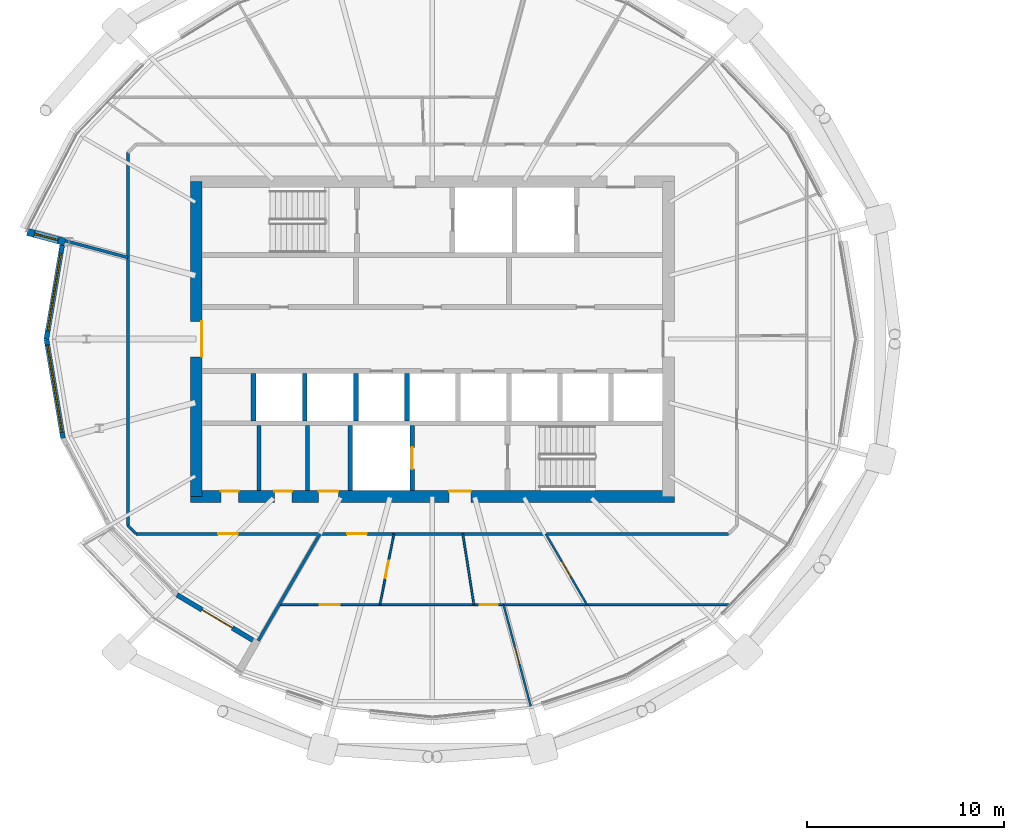
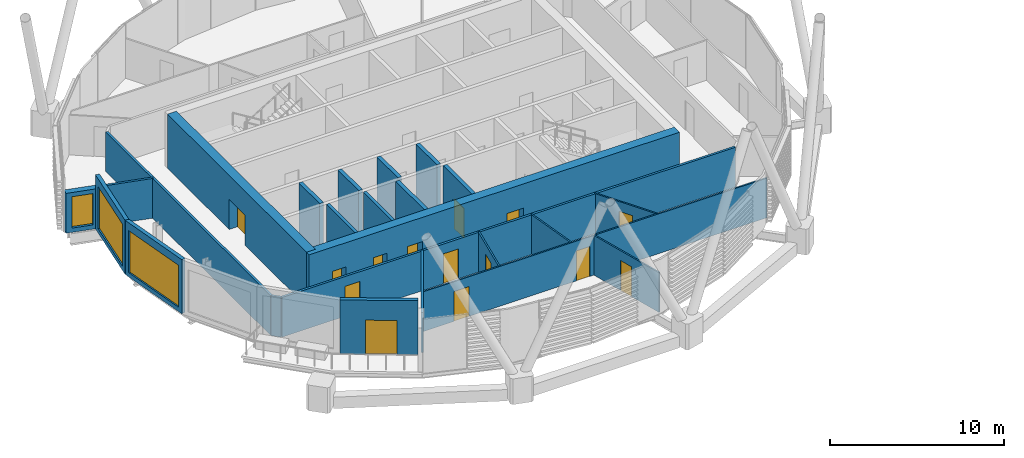
# One storey, part 22 of 36: 25 walls, 14 doors, 3 windows, 17 openings.
"""IFC4 building model written with IfcOpenShell, lengths in metres."""

from ifc_helpers import new_model, si_unit, direction, frame, frame_2d, origin, place, context, subcontext, project, spatial, rectangle, extrude, material, layer, layer_set, type_object, element, fill, save


model = new_model("IFC4")

# Units and contexts
model_context = context("Model", 3, precision=1e-05, world=origin(), true_north=direction((0.0, 1.0)))
body_context = subcontext(model_context, "Body", "Model", "MODEL_VIEW")
ifc_project = project(units=[si_unit("LENGTHUNIT", "METRE"), si_unit("AREAUNIT", "SQUARE_METRE"), si_unit("VOLUMEUNIT", "CUBIC_METRE"), si_unit("PLANEANGLEUNIT", "RADIAN"), si_unit("MASSUNIT", "GRAM", prefix="KILO")], contexts=[model_context])

# Site, building, storey
site_placement = place(None, origin())
site = spatial("IfcSite", under=ifc_project, at=site_placement, CompositionType="ELEMENT")
building_placement = place(site_placement, origin())
building = spatial("IfcBuilding", under=site, at=building_placement, Name="Rimbun Link Towers", CompositionType="ELEMENT")
storey_placement = place(building_placement, frame((0.0, 0.0, 193.10009765625)))
storey = spatial("IfcBuildingStorey", under=building, at=storey_placement, Name="L47", CompositionType="ELEMENT", Elevation=193.10009765625)

# Wall, opening, window
ifc_material_1 = material(Name="Dark enamelled glass spandrel on insulated aluminium backpan", Category="aluminium")
ifc_layer_1 = layer(ifc_material_1, 0.25)
ifc_layer_set_1 = layer_set([ifc_layer_1], Name="CS dark enamelled spandrel wall 250")
wall_type_1 = type_object("IfcWallType", Name="CS dark enamelled spandrel wall 250", PredefinedType="STANDARD", material=ifc_layer_set_1)
wall_1_placement = place(storey_placement, frame((-51.3603515625, 0.0, 0.0), z_axis=(0.0, 0.0, 1.0), x_axis=(0.165542246624, 0.986202699541, 0.0)))
wall_1 = element("IfcWall", 1, at=wall_1_placement, inside=storey, type_object=wall_type_1, Name="Crease spandrel wall", PredefinedType="STANDARD", context=body_context, shape_type="SweptSolid", body=[
    extrude(rectangle(XDim=4.84765625, YDim=0.25, at=frame_2d((2.423828125, 0.0))), origin(), (0.0, 0.0, 1.0), 3.7998046875),
])
opening_1_placement = place(wall_1_placement, frame((0.423828125, 0.0, 0.300048828125)))
opening_1 = element("IfcOpeningElement", 2, at=opening_1_placement, cuts=wall_1, Name="Opening WR40H295", PredefinedType="OPENING", context=body_context, shape_type="SweptSolid", body=[
    extrude(rectangle(XDim=4.0, YDim=2.949951171875, at=frame_2d((2.0, 1.47509765625))), frame((0.0, 0.135009765625, 0.0), z_axis=(0.0, -1.0, 0.0), x_axis=(1.0, 0.0, 0.0)), (0.0, 0.0, 1.0), 0.27001953125),
])
ifc_material_2 = material(Name="Aluminium framed fixed window, dark tinted low-e glass", Category="aluminium")
window_type_1 = type_object("IfcWindowType", Name="WR ribbon window 4000X2950", PartitioningType="SINGLE_PANEL", PredefinedType="WINDOW", material=ifc_material_2)
window_1_placement = place(opening_1_placement, origin())
window_1 = element("IfcWindow", 3, at=window_1_placement, inside=storey, type_object=window_type_1, Name="Crease ribbon window", OverallHeight=2.949951171875, OverallWidth=4.0, PartitioningType="SINGLE_PANEL", PredefinedType="WINDOW", context=body_context, shape_type="SweptSolid", body=[
    extrude(rectangle(XDim=4.0, YDim=2.949951171875, at=frame_2d((2.0, 1.47509765625))), frame((0.0, 0.030029296875, 0.0), z_axis=(0.0, -1.0, 0.0), x_axis=(1.0, 0.0, 0.0)), (0.0, 0.0, 1.0), 0.06005859375),
])
fill(opening_1, window_1)

wall_2_placement = place(storey_placement, frame((-50.514892578125, -5.036376953125, 0.0), z_axis=(0.0, 0.0, 1.0), x_axis=(-0.165553983504, 0.986200729338, 0.0)))
wall_2 = element("IfcWall", 4, at=wall_2_placement, inside=storey, type_object=wall_type_1, Name="Crease spandrel wall", PredefinedType="STANDARD", context=body_context, shape_type="SweptSolid", body=[
    extrude(rectangle(XDim=5.10693359375, YDim=0.25, at=frame_2d((2.553466796875, 0.0))), origin(), (0.0, 0.0, 1.0), 3.7998046875),
])
opening_2_placement = place(wall_2_placement, frame((0.303466796875, 0.0, 0.300048828125)))
opening_2 = element("IfcOpeningElement", 5, at=opening_2_placement, cuts=wall_2, Name="Opening WR45H295", PredefinedType="OPENING", context=body_context, shape_type="SweptSolid", body=[
    extrude(rectangle(XDim=4.5, YDim=2.949951171875, at=frame_2d((2.25, 1.47509765625))), frame((0.0, 0.135009765625, 0.0), z_axis=(0.0, -1.0, 0.0), x_axis=(1.0, 0.0, 0.0)), (0.0, 0.0, 1.0), 0.27001953125),
])
ifc_material_3 = material(Name="Aluminium framed fixed window, dark tinted low-e glass", Category="aluminium")
window_type_2 = type_object("IfcWindowType", Name="WR ribbon window 4500X2950", PartitioningType="SINGLE_PANEL", PredefinedType="WINDOW", material=ifc_material_3)
window_2_placement = place(opening_2_placement, origin())
window_2 = element("IfcWindow", 6, at=window_2_placement, inside=storey, type_object=window_type_2, Name="Crease ribbon window", OverallHeight=2.949951171875, OverallWidth=4.5, PartitioningType="SINGLE_PANEL", PredefinedType="WINDOW", context=body_context, shape_type="SweptSolid", body=[
    extrude(rectangle(XDim=4.5, YDim=2.949951171875, at=frame_2d((2.25, 1.47509765625))), frame((0.0, 0.030029296875, 0.0), z_axis=(0.0, -1.0, 0.0), x_axis=(1.0, 0.0, 0.0)), (0.0, 0.0, 1.0), 0.06005859375),
])
fill(opening_2, window_2)

# Wall, opening, door
wall_3_placement = place(storey_placement, frame((-40.87060546875, -15.297607421875, 0.0), z_axis=(0.0, 0.0, 1.0), x_axis=(-0.858130603388, 0.513431463323, 0.0)))
wall_3 = element("IfcWall", 7, at=wall_3_placement, inside=storey, type_object=wall_type_1, Name="Crease spandrel wall", PredefinedType="STANDARD", context=body_context, shape_type="SweptSolid", body=[
    extrude(rectangle(XDim=4.48828125, YDim=0.25, at=frame_2d((2.244140625, 0.0))), origin(), (0.0, 0.0, 1.0), 3.7998046875),
])
opening_3_placement = place(wall_3_placement, frame((1.2119140625, 0.0, 0.0)))
opening_3 = element("IfcOpeningElement", 8, at=opening_3_placement, cuts=wall_3, Name="Opening ED77", PredefinedType="OPENING", context=body_context, shape_type="SweptSolid", body=[
    extrude(rectangle(XDim=1.800048828125, YDim=2.39990234375, at=frame_2d((0.89990234375, 1.199951171875))), frame((0.0, 0.135009765625, 0.0), z_axis=(0.0, -1.0, 0.0), x_axis=(1.0, 0.0, 0.0)), (0.0, 0.0, 1.0), 0.27001953125),
])
ifc_material_4 = material(Name="Aluminium framed glazed door, low-iron glass", Category="aluminium")
door_type_1 = type_object("IfcDoorType", Name="ED terrace door double leaf 1800X2400", OperationType="DOUBLE_DOOR_SINGLE_SWING", PredefinedType="DOOR", material=ifc_material_4)
door_1_placement = place(opening_3_placement, origin())
door_1 = element("IfcDoor", 9, at=door_1_placement, inside=storey, type_object=door_type_1, Name="Terrace door", OperationType="SINGLE_SWING_LEFT", OverallHeight=2.39990234375, OverallWidth=1.800048828125, PredefinedType="DOOR", context=body_context, shape_type="SweptSolid", body=[
    extrude(rectangle(XDim=1.800048828125, YDim=2.39990234375, at=frame_2d((0.89990234375, 1.199951171875))), frame((0.0, 0.02490234375, 0.0), z_axis=(0.0, -1.0, 0.0), x_axis=(1.0, 0.0, 0.0)), (0.0, 0.0, 1.0), 0.050048828125),
])
fill(opening_3, door_1)

# Wall, opening, window
ifc_material_5 = material(Name="Dark enamelled glass spandrel on insulated aluminium backpan", Category="aluminium")
ifc_layer_2 = layer(ifc_material_5, 0.3701171875)
ifc_layer_set_2 = layer_set([ifc_layer_2], Name="CS dark enamelled spandrel wall 370")
wall_type_2 = type_object("IfcWallType", Name="CS dark enamelled spandrel wall 370", PredefinedType="STANDARD", material=ifc_layer_set_2)
wall_4_placement = place(storey_placement, frame((-50.411865234375, 4.93310546875, 0.0), z_axis=(0.0, 0.0, 1.0), x_axis=(-0.965929339423, 0.258805933552, 0.0)))
wall_4 = element("IfcWall", 10, at=wall_4_placement, inside=storey, type_object=wall_type_2, Name="Crease spandrel wall", PredefinedType="STANDARD", context=body_context, shape_type="SweptSolid", body=[
    extrude(rectangle(XDim=1.97998046875, YDim=0.3701171875, at=frame_2d((0.989990234375, 0.0))), origin(), (0.0, 0.0, 1.0), 2.799072265625),
])
opening_4_placement = place(wall_4_placement, frame((0.364990234375, 0.0, 0.300048828125)))
opening_4 = element("IfcOpeningElement", 11, at=opening_4_placement, cuts=wall_4, Name="Opening WR12H220", PredefinedType="OPENING", context=body_context, shape_type="SweptSolid", body=[
    extrude(rectangle(XDim=1.25, YDim=2.199951171875, at=frame_2d((0.625, 1.10009765625))), frame((0.0, 0.195068359375, 0.0), z_axis=(0.0, -1.0, 0.0), x_axis=(1.0, 0.0, 0.0)), (0.0, 0.0, 1.0), 0.39013671875),
])
ifc_material_6 = material(Name="Aluminium framed fixed window, dark tinted low-e glass", Category="aluminium")
window_type_3 = type_object("IfcWindowType", Name="WR ribbon window 1250X2200", PartitioningType="SINGLE_PANEL", PredefinedType="WINDOW", material=ifc_material_6)
window_3_placement = place(opening_4_placement, origin())
window_3 = element("IfcWindow", 12, at=window_3_placement, inside=storey, type_object=window_type_3, Name="Crease ribbon window", OverallHeight=2.199951171875, OverallWidth=1.25, PartitioningType="SINGLE_PANEL", PredefinedType="WINDOW", context=body_context, shape_type="SweptSolid", body=[
    extrude(rectangle(XDim=1.25, YDim=2.199951171875, at=frame_2d((0.625, 1.10009765625))), frame((0.0, 0.030029296875, 0.0), z_axis=(0.0, -1.0, 0.0), x_axis=(1.0, 0.0, 0.0)), (0.0, 0.0, 1.0), 0.06005859375),
])
fill(opening_4, window_3)

# Walls
ifc_material_7 = material(Name="Masonry blockwork", Category="masonry")
ifc_layer_3 = layer(ifc_material_7, 0.199951171875)
ifc_layer_set_3 = layer_set([ifc_layer_3], Name="Core partition 200")
wall_type_3 = type_object("IfcWallType", Name="Core partition 200", PredefinedType="PARTITIONING", material=ifc_layer_set_3)
for number, where, z_axis, x_axis, name in (
    (13, (-40.550048828125, -4.39990234375, 0.0), (0.0, 0.0, 1.0), (0.0, -1.0, 0.0), "L47 T1 core wall C1"),
    (14, (-38.10009765625, -4.39990234375, 0.0), (0.0, 0.0, 1.0), (0.0, -1.0, 0.0), "L47 T1 core wall C2"),
):
    element("IfcWall", number, at=place(storey_placement, frame(where, z_axis=z_axis, x_axis=x_axis)), inside=storey, type_object=wall_type_3, Name=name, PredefinedType="PARTITIONING", context=body_context, shape_type="SweptSolid", body=[
        extrude(rectangle(XDim=3.300048828125, YDim=0.199951171875, at=frame_2d((1.64990234375, 0.0))), origin(), (0.0, 0.0, 1.0), 3.7998046875),
    ])

# Wall, openings, doors
ifc_material_8 = material(Name="Concrete C60/75", Category="concrete")
ifc_layer_4 = layer(ifc_material_8, 0.60009765625)
ifc_layer_set_4 = layer_set([ifc_layer_4], Name="Core shear wall 600")
wall_type_4 = type_object("IfcWallType", Name="Core shear wall 600", PredefinedType="SHEAR", material=ifc_layer_set_4)
wall_5_placement = place(storey_placement, frame((-44.050048828125, -8.0, 0.0), z_axis=(0.0, 0.0, 1.0), x_axis=(1.0, 0.0, 0.0)))
wall_5 = element("IfcWall", 15, at=wall_5_placement, inside=storey, type_object=wall_type_4, Name="L47 T1 core wall S", PredefinedType="SHEAR", context=body_context, shape_type="SweptSolid", body=[
    extrude(rectangle(XDim=24.60009765625, YDim=0.60009765625, at=frame_2d((12.300048828125, 0.0))), origin(), (0.0, 0.0, 1.0), 3.7998046875),
])
opening_5_placement = place(wall_5_placement, frame((13.14990234375, 0.0, 0.0)))
opening_5 = element("IfcOpeningElement", 16, at=opening_5_placement, cuts=wall_5, Name="Opening C1DCF01S", PredefinedType="OPENING", context=body_context, shape_type="SweptSolid", body=[
    extrude(rectangle(XDim=1.10009765625, YDim=2.10009765625, at=frame_2d((0.550048828125, 1.050048828125))), frame((0.0, 0.31005859375, 0.0), z_axis=(0.0, -1.0, 0.0), x_axis=(1.0, 0.0, 0.0)), (0.0, 0.0, 1.0), 0.6201171875),
])
opening_6_placement = place(wall_5_placement, frame((1.550048828125, 0.0, 0.0)))
opening_6 = element("IfcOpeningElement", 17, at=opening_6_placement, cuts=wall_5, Name="Opening C1DWC02S", PredefinedType="OPENING", context=body_context, shape_type="SweptSolid", body=[
    extrude(rectangle(XDim=0.89990234375, YDim=2.10009765625, at=frame_2d((0.449951171875, 1.050048828125))), frame((0.0, 0.31005859375, 0.0), z_axis=(0.0, -1.0, 0.0), x_axis=(1.0, 0.0, 0.0)), (0.0, 0.0, 1.0), 0.6201171875),
])
opening_7_placement = place(wall_5_placement, frame((4.27490234375, 0.0, 0.0)))
opening_7 = element("IfcOpeningElement", 18, at=opening_7_placement, cuts=wall_5, Name="Opening C1DWC03S", PredefinedType="OPENING", context=body_context, shape_type="SweptSolid", body=[
    extrude(rectangle(XDim=0.89990234375, YDim=2.10009765625, at=frame_2d((0.449951171875, 1.050048828125))), frame((0.0, 0.31005859375, 0.0), z_axis=(0.0, -1.0, 0.0), x_axis=(1.0, 0.0, 0.0)), (0.0, 0.0, 1.0), 0.6201171875),
])
opening_8_placement = place(wall_5_placement, frame((6.52490234375, 0.0, 0.0)))
opening_8 = element("IfcOpeningElement", 19, at=opening_8_placement, cuts=wall_5, Name="Opening C1DAW04S", PredefinedType="OPENING", context=body_context, shape_type="SweptSolid", body=[
    extrude(rectangle(XDim=1.0, YDim=2.10009765625, at=frame_2d((0.5, 1.050048828125))), frame((0.0, 0.31005859375, 0.0), z_axis=(0.0, -1.0, 0.0), x_axis=(1.0, 0.0, 0.0)), (0.0, 0.0, 1.0), 0.6201171875),
])
ifc_material_9 = material(Name="Timber", Category="wood")
door_type_2 = type_object("IfcDoorType", Name="Accessible WC door", OperationType="SINGLE_SWING_LEFT", PredefinedType="DOOR", material=ifc_material_9)
door_2_placement = place(opening_8_placement, origin())
door_2 = element("IfcDoor", 20, at=door_2_placement, inside=storey, type_object=door_type_2, Name="L47 T1 accessible wc door", OperationType="SINGLE_SWING_RIGHT", OverallHeight=2.10009765625, OverallWidth=1.0, PredefinedType="DOOR", context=body_context, shape_type="SweptSolid", body=[
    extrude(rectangle(XDim=1.0, YDim=2.10009765625, at=frame_2d((0.5, 1.050048828125))), frame((0.0, 0.2998046875, 0.0), z_axis=(0.0, -1.0, 0.0), x_axis=(1.0, 0.0, 0.0)), (0.0, 0.0, 1.0), 0.050048828125),
])
fill(opening_8, door_2)
ifc_material_10 = material(Name="Steel fire door set", Category="steel")
door_type_3 = type_object("IfcDoorType", Name="Core fire door single", OperationType="SINGLE_SWING_LEFT", PredefinedType="DOOR", material=ifc_material_10)
door_3_placement = place(opening_5_placement, origin())
door_3 = element("IfcDoor", 21, at=door_3_placement, inside=storey, type_object=door_type_3, Name="L47 T1 firefighting lobby s door", OperationType="SINGLE_SWING_RIGHT", OverallHeight=2.10009765625, OverallWidth=1.10009765625, PredefinedType="DOOR", context=body_context, shape_type="SweptSolid", body=[
    extrude(rectangle(XDim=1.10009765625, YDim=2.10009765625, at=frame_2d((0.550048828125, 1.050048828125))), frame((0.0, 0.2998046875, 0.0), z_axis=(0.0, -1.0, 0.0), x_axis=(1.0, 0.0, 0.0)), (0.0, 0.0, 1.0), 0.050048828125),
])
fill(opening_5, door_3)
ifc_material_11 = material(Name="Timber", Category="wood")
door_type_4 = type_object("IfcDoorType", Name="WC door", OperationType="SINGLE_SWING_LEFT", PredefinedType="DOOR", material=ifc_material_11)
door_4_placement = place(opening_6_placement, origin())
door_4 = element("IfcDoor", 22, at=door_4_placement, inside=storey, type_object=door_type_4, Name="L47 T1 male wc door", OperationType="SINGLE_SWING_RIGHT", OverallHeight=2.10009765625, OverallWidth=0.89990234375, PredefinedType="DOOR", context=body_context, shape_type="SweptSolid", body=[
    extrude(rectangle(XDim=0.89990234375, YDim=2.10009765625, at=frame_2d((0.449951171875, 1.050048828125))), frame((0.0, 0.2998046875, 0.0), z_axis=(0.0, -1.0, 0.0), x_axis=(1.0, 0.0, 0.0)), (0.0, 0.0, 1.0), 0.050048828125),
])
fill(opening_6, door_4)
door_5_placement = place(opening_7_placement, origin())
door_5 = element("IfcDoor", 23, at=door_5_placement, inside=storey, type_object=door_type_4, Name="L47 T1 female wc door", OperationType="SINGLE_SWING_RIGHT", OverallHeight=2.10009765625, OverallWidth=0.89990234375, PredefinedType="DOOR", context=body_context, shape_type="SweptSolid", body=[
    extrude(rectangle(XDim=0.89990234375, YDim=2.10009765625, at=frame_2d((0.449951171875, 1.050048828125))), frame((0.0, 0.2998046875, 0.0), z_axis=(0.0, -1.0, 0.0), x_axis=(1.0, 0.0, 0.0)), (0.0, 0.0, 1.0), 0.050048828125),
])
fill(opening_7, door_5)

# Wall, opening, door
wall_6_placement = place(storey_placement, frame((-43.75, -8.0, 0.0), z_axis=(0.0, 0.0, 1.0), x_axis=(0.0, 1.0, 0.0)))
wall_6 = element("IfcWall", 24, at=wall_6_placement, inside=storey, type_object=wall_type_4, Name="L47 T1 core wall W", PredefinedType="SHEAR", context=body_context, shape_type="SweptSolid", body=[
    extrude(rectangle(XDim=16.0, YDim=0.60009765625, at=frame_2d((8.0, 0.0))), origin(), (0.0, 0.0, 1.0), 3.7998046875),
])
opening_9_placement = place(wall_6_placement, frame((7.10009765625, 0.0, 0.0)))
opening_9 = element("IfcOpeningElement", 25, at=opening_9_placement, cuts=wall_6, Name="Opening C1DCL01W", PredefinedType="OPENING", context=body_context, shape_type="SweptSolid", body=[
    extrude(rectangle(XDim=1.800048828125, YDim=2.10009765625, at=frame_2d((0.89990234375, 1.050048828125))), frame((0.0, 0.31005859375, 0.0), z_axis=(0.0, -1.0, 0.0), x_axis=(1.0, 0.0, 0.0)), (0.0, 0.0, 1.0), 0.6201171875),
])
ifc_material_12 = material(Name="Steel fire door set", Category="steel")
door_type_5 = type_object("IfcDoorType", Name="Core lobby door double", OperationType="DOUBLE_DOOR_SINGLE_SWING", PredefinedType="DOOR", material=ifc_material_12)
door_6_placement = place(opening_9_placement, origin())
door_6 = element("IfcDoor", 26, at=door_6_placement, inside=storey, type_object=door_type_5, Name="L47 T1 lift lobby door", OperationType="DOUBLE_DOOR_SINGLE_SWING", OverallHeight=2.10009765625, OverallWidth=1.800048828125, PredefinedType="DOOR", context=body_context, shape_type="SweptSolid", body=[
    extrude(rectangle(XDim=1.800048828125, YDim=2.10009765625, at=frame_2d((0.89990234375, 1.050048828125))), frame((0.0, -0.25, 0.0), z_axis=(0.0, -1.0, 0.0), x_axis=(1.0, 0.0, 0.0)), (0.0, 0.0, 1.0), 0.050048828125),
])
fill(opening_9, door_6)

# Wall, openings, doors
ifc_material_13 = material(Name="Plasterboard on steel stud, mineral wool", Category="steel")
ifc_layer_5 = layer(ifc_material_13, 0.14990234375)
ifc_layer_set_5 = layer_set([ifc_layer_5], Name="Corridor wall EI 30 150 mm")
wall_type_5 = type_object("IfcWallType", Name="Corridor wall EI 30 150 mm", PredefinedType="PARTITIONING", material=ifc_layer_set_5)
wall_7_placement = place(storey_placement, frame((-16.6962890625, -9.89501953125, 0.0), z_axis=(0.0, 0.0, 1.0), x_axis=(-1.0, 0.0, 0.0)))
wall_7 = element("IfcWall", 27, at=wall_7_placement, inside=storey, type_object=wall_type_5, Name="Corridor wall EI 30 150 mm", PredefinedType="PARTITIONING", context=body_context, shape_type="SweptSolid", body=[
    extrude(rectangle(XDim=30.107421875, YDim=0.14990234375, at=frame_2d((15.0537109375, 0.0))), origin(), (0.0, 0.0, 1.0), 2.788818359375),
])
opening_10_placement = place(wall_7_placement, frame((18.386962890625, 0.0, 0.0)))
opening_10 = element("IfcOpeningElement", 28, at=opening_10_placement, cuts=wall_7, Name="Opening D01", PredefinedType="OPENING", context=body_context, shape_type="SweptSolid", body=[
    extrude(rectangle(XDim=1.0, YDim=2.10009765625, at=frame_2d((0.5, 1.050048828125))), frame((0.0, 0.0849609375, 0.0), z_axis=(0.0, -1.0, 0.0), x_axis=(1.0, 0.0, 0.0)), (0.0, 0.0, 1.0), 0.169921875),
])
opening_11_placement = place(wall_7_placement, frame((24.93701171875, 0.0, 0.0)))
opening_11 = element("IfcOpeningElement", 29, at=opening_11_placement, cuts=wall_7, Name="Opening D01", PredefinedType="OPENING", context=body_context, shape_type="SweptSolid", body=[
    extrude(rectangle(XDim=1.0, YDim=2.10009765625, at=frame_2d((0.5, 1.050048828125))), frame((0.0, 0.0849609375, 0.0), z_axis=(0.0, -1.0, 0.0), x_axis=(1.0, 0.0, 0.0)), (0.0, 0.0, 1.0), 0.169921875),
])
ifc_material_14 = material(Name="Fire-resisting timber door leaf", Category="wood")
door_type_6 = type_object("IfcDoorType", Name="Fire door FD30S 1000", OperationType="NOTDEFINED", PredefinedType="DOOR", material=ifc_material_14)
door_7_placement = place(opening_10_placement, origin())
door_7 = element("IfcDoor", 30, at=door_7_placement, inside=storey, type_object=door_type_6, Name="Fire door FD30S 1000 to Tenant lobby", OperationType="SINGLE_SWING_LEFT", OverallHeight=2.10009765625, OverallWidth=1.0, PredefinedType="DOOR", context=body_context, shape_type="SweptSolid", body=[
    extrude(rectangle(XDim=1.0, YDim=2.10009765625, at=frame_2d((0.5, 1.050048828125))), frame((0.0, 0.02490234375, 0.0), z_axis=(0.0, -1.0, 0.0), x_axis=(1.0, 0.0, 0.0)), (0.0, 0.0, 1.0), 0.050048828125),
])
fill(opening_10, door_7)
door_8_placement = place(opening_11_placement, origin())
door_8 = element("IfcDoor", 31, at=door_8_placement, inside=storey, type_object=door_type_6, Name="Fire door FD30S 1000 to Terrace office", OperationType="SINGLE_SWING_RIGHT", OverallHeight=2.10009765625, OverallWidth=1.0, PredefinedType="DOOR", context=body_context, shape_type="SweptSolid", body=[
    extrude(rectangle(XDim=1.0, YDim=2.10009765625, at=frame_2d((0.5, 1.050048828125))), frame((0.0, 0.02490234375, 0.0), z_axis=(0.0, -1.0, 0.0), x_axis=(1.0, 0.0, 0.0)), (0.0, 0.0, 1.0), 0.050048828125),
])
fill(opening_11, door_8)

# Walls
wall_8_placement = place(storey_placement, frame((-47.22509765625, -9.4736328125, 0.0), z_axis=(0.0, 0.0, 1.0), x_axis=(0.707106781187, -0.707106781187, 0.0)))
element("IfcWall", 32, at=wall_8_placement, inside=storey, type_object=wall_type_5, Name="Corridor wall EI 30 150 mm", PredefinedType="PARTITIONING", context=body_context, shape_type="SweptSolid", body=[
    extrude(rectangle(XDim=0.595947265625, YDim=0.14990234375, at=frame_2d((0.2978515625, 0.0))), origin(), (0.0, 0.0, 1.0), 2.788818359375),
])
wall_9_placement = place(storey_placement, frame((-47.22509765625, 9.4736328125, 0.0), z_axis=(0.0, 0.0, 1.0), x_axis=(0.0, -1.0, 0.0)))
element("IfcWall", 33, at=wall_9_placement, inside=storey, type_object=wall_type_5, Name="Corridor wall EI 30 150 mm", PredefinedType="PARTITIONING", context=body_context, shape_type="SweptSolid", body=[
    extrude(rectangle(XDim=18.947265625, YDim=0.14990234375, at=frame_2d((9.4736328125, 0.0))), origin(), (0.0, 0.0, 1.0), 2.788818359375),
])

# Wall, opening, door
ifc_material_15 = material(Name="Plasterboard on steel stud", Category="steel")
ifc_layer_6 = layer(ifc_material_15, 0.10009765625)
ifc_layer_set_6 = layer_set([ifc_layer_6], Name="Plasterboard partition 100 mm")
wall_type_6 = type_object("IfcWallType", Name="Plasterboard partition 100 mm", PredefinedType="PARTITIONING", material=ifc_layer_set_6)
wall_10_placement = place(storey_placement, frame((-33.703857421875, -9.89501953125, 0.0), z_axis=(0.0, 0.0, 1.0), x_axis=(-0.193735824975, -0.981053734574, 0.0)))
wall_10 = element("IfcWall", 34, at=wall_10_placement, inside=storey, type_object=wall_type_6, Name="Plasterboard partition 100 mm", PredefinedType="PARTITIONING", context=body_context, shape_type="SweptSolid", body=[
    extrude(rectangle(XDim=3.669677734375, YDim=0.10009765625, at=frame_2d((1.8349609375, 0.0))), origin(), (0.0, 0.0, 1.0), 2.788818359375),
])
opening_12_placement = place(wall_10_placement, frame((1.384765625, 0.0, 0.0)))
opening_12 = element("IfcOpeningElement", 35, at=opening_12_placement, cuts=wall_10, Name="Opening D04", PredefinedType="OPENING", context=body_context, shape_type="SweptSolid", body=[
    extrude(rectangle(XDim=0.89990234375, YDim=2.10009765625, at=frame_2d((0.449951171875, 1.050048828125))), frame((0.0, 0.06005859375, 0.0), z_axis=(0.0, -1.0, 0.0), x_axis=(1.0, 0.0, 0.0)), (0.0, 0.0, 1.0), 0.1201171875),
])
ifc_material_16 = material(Name="Timber door leaf", Category="wood")
door_type_7 = type_object("IfcDoorType", Name="Flush door 900", OperationType="NOTDEFINED", PredefinedType="DOOR", material=ifc_material_16)
door_9_placement = place(opening_12_placement, origin())
door_9 = element("IfcDoor", 36, at=door_9_placement, inside=storey, type_object=door_type_7, Name="Flush door 900 to Huddle room", OperationType="SINGLE_SWING_LEFT", OverallHeight=2.10009765625, OverallWidth=0.89990234375, PredefinedType="DOOR", context=body_context, shape_type="SweptSolid", body=[
    extrude(rectangle(XDim=0.89990234375, YDim=2.10009765625, at=frame_2d((0.449951171875, 1.050048828125))), frame((0.0, 0.02490234375, 0.0), z_axis=(0.0, -1.0, 0.0), x_axis=(1.0, 0.0, 0.0)), (0.0, 0.0, 1.0), 0.050048828125),
])
fill(opening_12, door_9)

# Wall, openings, doors
wall_11_placement = place(storey_placement, frame((-28.134033203125, -13.4951171875, 0.0), z_axis=(0.0, 0.0, 1.0), x_axis=(-1.0, 0.0, 0.0)))
wall_11 = element("IfcWall", 37, at=wall_11_placement, inside=storey, type_object=wall_type_6, Name="Plasterboard partition 100 mm", PredefinedType="PARTITIONING", context=body_context, shape_type="SweptSolid", body=[
    extrude(rectangle(XDim=11.4072265625, YDim=0.10009765625, at=frame_2d((5.70361328125, 0.0))), origin(), (0.0, 0.0, 1.0), 2.788818359375),
])
opening_13_placement = place(wall_11_placement, frame((8.32861328125, 0.0, 0.0)))
opening_13 = element("IfcOpeningElement", 38, at=opening_13_placement, cuts=wall_11, Name="Opening D03", PredefinedType="OPENING", context=body_context, shape_type="SweptSolid", body=[
    extrude(rectangle(XDim=1.0, YDim=2.10009765625, at=frame_2d((0.5, 1.050048828125))), frame((0.0, 0.06005859375, 0.0), z_axis=(0.0, -1.0, 0.0), x_axis=(1.0, 0.0, 0.0)), (0.0, 0.0, 1.0), 0.1201171875),
])
opening_14_placement = place(wall_11_placement, frame((0.300048828125, 0.0, 0.0)))
opening_14 = element("IfcOpeningElement", 39, at=opening_14_placement, cuts=wall_11, Name="Opening D04", PredefinedType="OPENING", context=body_context, shape_type="SweptSolid", body=[
    extrude(rectangle(XDim=0.89990234375, YDim=2.10009765625, at=frame_2d((0.449951171875, 1.050048828125))), frame((0.0, 0.06005859375, 0.0), z_axis=(0.0, -1.0, 0.0), x_axis=(1.0, 0.0, 0.0)), (0.0, 0.0, 1.0), 0.1201171875),
])
ifc_material_17 = material(Name="Timber door leaf", Category="wood")
door_type_8 = type_object("IfcDoorType", Name="Flush door 1000", OperationType="NOTDEFINED", PredefinedType="DOOR", material=ifc_material_17)
door_10_placement = place(opening_13_placement, origin())
door_10 = element("IfcDoor", 40, at=door_10_placement, inside=storey, type_object=door_type_8, Name="Flush door 1000 to Open office", OperationType="SINGLE_SWING_RIGHT", OverallHeight=2.10009765625, OverallWidth=1.0, PredefinedType="DOOR", context=body_context, shape_type="SweptSolid", body=[
    extrude(rectangle(XDim=1.0, YDim=2.10009765625, at=frame_2d((0.5, 1.050048828125))), frame((0.0, 0.02490234375, 0.0), z_axis=(0.0, -1.0, 0.0), x_axis=(1.0, 0.0, 0.0)), (0.0, 0.0, 1.0), 0.050048828125),
])
fill(opening_13, door_10)
door_11_placement = place(opening_14_placement, origin())
door_11 = element("IfcDoor", 41, at=door_11_placement, inside=storey, type_object=door_type_7, Name="Flush door 900 to Huddle room", OperationType="SINGLE_SWING_LEFT", OverallHeight=2.10009765625, OverallWidth=0.89990234375, PredefinedType="DOOR", context=body_context, shape_type="SweptSolid", body=[
    extrude(rectangle(XDim=0.89990234375, YDim=2.10009765625, at=frame_2d((0.449951171875, 1.050048828125))), frame((0.0, 0.02490234375, 0.0), z_axis=(0.0, -1.0, 0.0), x_axis=(1.0, 0.0, 0.0)), (0.0, 0.0, 1.0), 0.050048828125),
])
fill(opening_14, door_11)

# Wall
wall_12_placement = place(storey_placement, frame((-29.6416015625, -13.4951171875, 0.0), z_axis=(0.0, 0.0, 1.0), x_axis=(-0.154372792443, 0.988012672466, 0.0)))
element("IfcWall", 42, at=wall_12_placement, inside=storey, type_object=wall_type_6, Name="Plasterboard partition 100 mm", PredefinedType="PARTITIONING", context=body_context, shape_type="SweptSolid", body=[
    extrude(rectangle(XDim=3.643798828125, YDim=0.10009765625, at=frame_2d((1.82177734375, 0.0))), origin(), (0.0, 0.0, 1.0), 2.788818359375),
])

# Wall, opening, door
wall_13_placement = place(storey_placement, frame((-25.991943359375, -9.89501953125, 0.0), z_axis=(0.0, 0.0, 1.0), x_axis=(0.502915871777, -0.864335366576, 0.0)))
wall_13 = element("IfcWall", 43, at=wall_13_placement, inside=storey, type_object=wall_type_6, Name="Plasterboard partition 100 mm", PredefinedType="PARTITIONING", context=body_context, shape_type="SweptSolid", body=[
    extrude(rectangle(XDim=4.165283203125, YDim=0.10009765625, at=frame_2d((2.08251953125, 0.0))), origin(), (0.0, 0.0, 1.0), 2.788818359375),
])
opening_15_placement = place(wall_13_placement, frame((1.632568359375, 0.0, 0.0)))
opening_15 = element("IfcOpeningElement", 44, at=opening_15_placement, cuts=wall_13, Name="Opening D04", PredefinedType="OPENING", context=body_context, shape_type="SweptSolid", body=[
    extrude(rectangle(XDim=0.89990234375, YDim=2.10009765625, at=frame_2d((0.449951171875, 1.050048828125))), frame((0.0, 0.06005859375, 0.0), z_axis=(0.0, -1.0, 0.0), x_axis=(1.0, 0.0, 0.0)), (0.0, 0.0, 1.0), 0.1201171875),
])
door_12_placement = place(opening_15_placement, origin())
door_12 = element("IfcDoor", 45, at=door_12_placement, inside=storey, type_object=door_type_7, Name="Flush door 900 to Pantry", OperationType="SINGLE_SWING_RIGHT", OverallHeight=2.10009765625, OverallWidth=0.89990234375, PredefinedType="DOOR", context=body_context, shape_type="SweptSolid", body=[
    extrude(rectangle(XDim=0.89990234375, YDim=2.10009765625, at=frame_2d((0.449951171875, 1.050048828125))), frame((0.0, 0.02490234375, 0.0), z_axis=(0.0, -1.0, 0.0), x_axis=(1.0, 0.0, 0.0)), (0.0, 0.0, 1.0), 0.050048828125),
])
fill(opening_15, door_12)

# Wall
wall_14_placement = place(storey_placement, frame((-28.134033203125, -13.4951171875, 0.0), z_axis=(0.0, 0.0, 1.0), x_axis=(1.0, 0.0, 0.0)))
element("IfcWall", 46, at=wall_14_placement, inside=storey, type_object=wall_type_6, Name="Plasterboard partition 100 mm", PredefinedType="PARTITIONING", context=body_context, shape_type="SweptSolid", body=[
    extrude(rectangle(XDim=11.47216796875, YDim=0.10009765625, at=frame_2d((5.736083984375, 0.0))), origin(), (0.0, 0.0, 1.0), 2.788818359375),
])

# Wall, opening, door
wall_15_placement = place(storey_placement, frame((-28.134033203125, -13.4951171875, 0.0), z_axis=(0.0, 0.0, 1.0), x_axis=(0.258845731319, -0.965918675344, 0.0)))
wall_15 = element("IfcWall", 47, at=wall_15_placement, inside=storey, type_object=wall_type_6, Name="Plasterboard partition 100 mm", PredefinedType="PARTITIONING", context=body_context, shape_type="SweptSolid", body=[
    extrude(rectangle(XDim=5.34228515625, YDim=0.10009765625, at=frame_2d((2.671142578125, 0.0))), origin(), (0.0, 0.0, 1.0), 2.788818359375),
])
opening_16_placement = place(wall_15_placement, frame((2.22119140625, 0.0, 0.0)))
opening_16 = element("IfcOpeningElement", 48, at=opening_16_placement, cuts=wall_15, Name="Opening D04", PredefinedType="OPENING", context=body_context, shape_type="SweptSolid", body=[
    extrude(rectangle(XDim=0.89990234375, YDim=2.10009765625, at=frame_2d((0.449951171875, 1.050048828125))), frame((0.0, 0.06005859375, 0.0), z_axis=(0.0, -1.0, 0.0), x_axis=(1.0, 0.0, 0.0)), (0.0, 0.0, 1.0), 0.1201171875),
])
door_13_placement = place(opening_16_placement, origin())
door_13 = element("IfcDoor", 49, at=door_13_placement, inside=storey, type_object=door_type_7, Name="Flush door 900 to Project room", OperationType="SINGLE_SWING_LEFT", OverallHeight=2.10009765625, OverallWidth=0.89990234375, PredefinedType="DOOR", context=body_context, shape_type="SweptSolid", body=[
    extrude(rectangle(XDim=0.89990234375, YDim=2.10009765625, at=frame_2d((0.449951171875, 1.050048828125))), frame((0.0, 0.02490234375, 0.0), z_axis=(0.0, -1.0, 0.0), x_axis=(1.0, 0.0, 0.0)), (0.0, 0.0, 1.0), 0.050048828125),
])
fill(opening_16, door_13)

# Walls
ifc_material_18 = material(Name="Concrete C60/75", Category="concrete")
ifc_layer_7 = layer(ifc_material_18, 0.25)
ifc_layer_set_7 = layer_set([ifc_layer_7], Name="Shaft wall 250")
wall_type_7 = type_object("IfcWallType", Name="Shaft wall 250", PredefinedType="SHEAR", material=ifc_layer_set_7)
for number, where, z_axis, x_axis, name in (
    (50, (-40.83056640625, -4.14990234375, 0.0), (0.0, 0.0, 1.0), (0.0, 1.0, 0.0), "L47 T1 core wall DS0"),
    (51, (-38.236083984375, -4.14990234375, 0.0), (0.0, 0.0, 1.0), (0.0, 1.0, 0.0), "L47 T1 core wall DS1"),
    (52, (-35.6416015625, -4.14990234375, 0.0), (0.0, 0.0, 1.0), (0.0, 1.0, 0.0), "L47 T1 core wall DS2"),
    (53, (-33.047119140625, -4.14990234375, 0.0), (0.0, 0.0, 1.0), (0.0, 1.0, 0.0), "L47 T1 core wall DS3"),
):
    element("IfcWall", number, at=place(storey_placement, frame(where, z_axis=z_axis, x_axis=x_axis)), inside=storey, type_object=wall_type_7, Name=name, PredefinedType="SHEAR", context=body_context, shape_type="SweptSolid", body=[
        extrude(rectangle(XDim=2.39990234375, YDim=0.25, at=frame_2d((1.199951171875, 0.0))), origin(), (0.0, 0.0, 1.0), 3.7998046875),
    ])

# Wall, opening, door
wall_16_placement = place(storey_placement, frame((-32.77490234375, -4.39990234375, 0.0), z_axis=(0.0, 0.0, 1.0), x_axis=(0.0, -1.0, 0.0)))
wall_16 = element("IfcWall", 54, at=wall_16_placement, inside=storey, type_object=wall_type_7, Name="L47 T1 core wall B2", PredefinedType="SHEAR", context=body_context, shape_type="SweptSolid", body=[
    extrude(rectangle(XDim=3.300048828125, YDim=0.25, at=frame_2d((1.64990234375, 0.0))), origin(), (0.0, 0.0, 1.0), 3.7998046875),
])
opening_17_placement = place(wall_16_placement, frame((1.10009765625, 0.0, 0.0)))
opening_17 = element("IfcOpeningElement", 55, at=opening_17_placement, cuts=wall_16, Name="Opening LD-T1-FF2", PredefinedType="OPENING", context=body_context, shape_type="SweptSolid", body=[
    extrude(rectangle(XDim=1.10009765625, YDim=2.10009765625, at=frame_2d((0.550048828125, 1.050048828125))), frame((0.0, 0.135009765625, 0.0), z_axis=(0.0, -1.0, 0.0), x_axis=(1.0, 0.0, 0.0)), (0.0, 0.0, 1.0), 0.27001953125),
])
ifc_material_19 = material(Name="Stainless steel grade 316", Category="steel")
door_type_9 = type_object("IfcDoorType", Name="Lift landing door", OperationType="DOUBLE_DOOR_SLIDING", PredefinedType="DOOR", material=ifc_material_19)
door_14_placement = place(opening_17_placement, origin())
door_14 = element("IfcDoor", 56, at=door_14_placement, inside=storey, type_object=door_type_9, Name="L47 T1 lift FF2 landing door", OperationType="DOUBLE_DOOR_SLIDING", OverallHeight=2.10009765625, OverallWidth=1.10009765625, PredefinedType="DOOR", context=body_context, shape_type="SweptSolid", body=[
    extrude(rectangle(XDim=1.10009765625, YDim=2.10009765625, at=frame_2d((0.550048828125, 1.050048828125))), frame((0.0, 0.02490234375, 0.0), z_axis=(0.0, -1.0, 0.0), x_axis=(1.0, 0.0, 0.0)), (0.0, 0.0, 1.0), 0.050048828125),
])
fill(opening_17, door_14)

# Walls
wall_17_placement = place(storey_placement, frame((-35.925048828125, -4.39990234375, 0.0), z_axis=(0.0, 0.0, 1.0), x_axis=(0.0, -1.0, 0.0)))
element("IfcWall", 57, at=wall_17_placement, inside=storey, type_object=wall_type_7, Name="L47 T1 core wall B3", PredefinedType="SHEAR", context=body_context, shape_type="SweptSolid", body=[
    extrude(rectangle(XDim=3.300048828125, YDim=0.25, at=frame_2d((1.64990234375, 0.0))), origin(), (0.0, 0.0, 1.0), 3.7998046875),
])
ifc_material_20 = material(Name="Plasterboard on steel stud, mineral wool", Category="steel")
ifc_layer_8 = layer(ifc_material_20, 0.14990234375)
ifc_layer_set_8 = layer_set([ifc_layer_8], Name="Tenancy separation wall EI 60 150 mm")
wall_type_8 = type_object("IfcWallType", Name="Tenancy separation wall EI 60 150 mm", PredefinedType="PARTITIONING", material=ifc_layer_set_8)
wall_18_placement = place(storey_placement, frame((-47.22509765625, 4.146484375, 0.0), z_axis=(0.0, 0.0, 1.0), x_axis=(-0.965926799249, 0.258815413939, 0.0)))
element("IfcWall", 58, at=wall_18_placement, inside=storey, type_object=wall_type_8, Name="Tenancy separation wall EI 60 150 mm", PredefinedType="PARTITIONING", context=body_context, shape_type="SweptSolid", body=[
    extrude(rectangle(XDim=3.28173828125, YDim=0.14990234375, at=frame_2d((1.640869140625, 0.0))), origin(), (0.0, 0.0, 1.0), 2.788818359375),
])
wall_19_placement = place(storey_placement, frame((-37.462890625, -9.89501953125, 0.0), z_axis=(0.0, 0.0, 1.0), x_axis=(-0.499984593637, -0.866034298469, 0.0)))
element("IfcWall", 59, at=wall_19_placement, inside=storey, type_object=wall_type_8, Name="Tenancy separation wall EI 60 150 mm", PredefinedType="PARTITIONING", context=body_context, shape_type="SweptSolid", body=[
    extrude(rectangle(XDim=6.261474609375, YDim=0.14990234375, at=frame_2d((3.130859375, 0.0))), origin(), (0.0, 0.0, 1.0), 2.788818359375),
])

save(model, "model.ifc")
